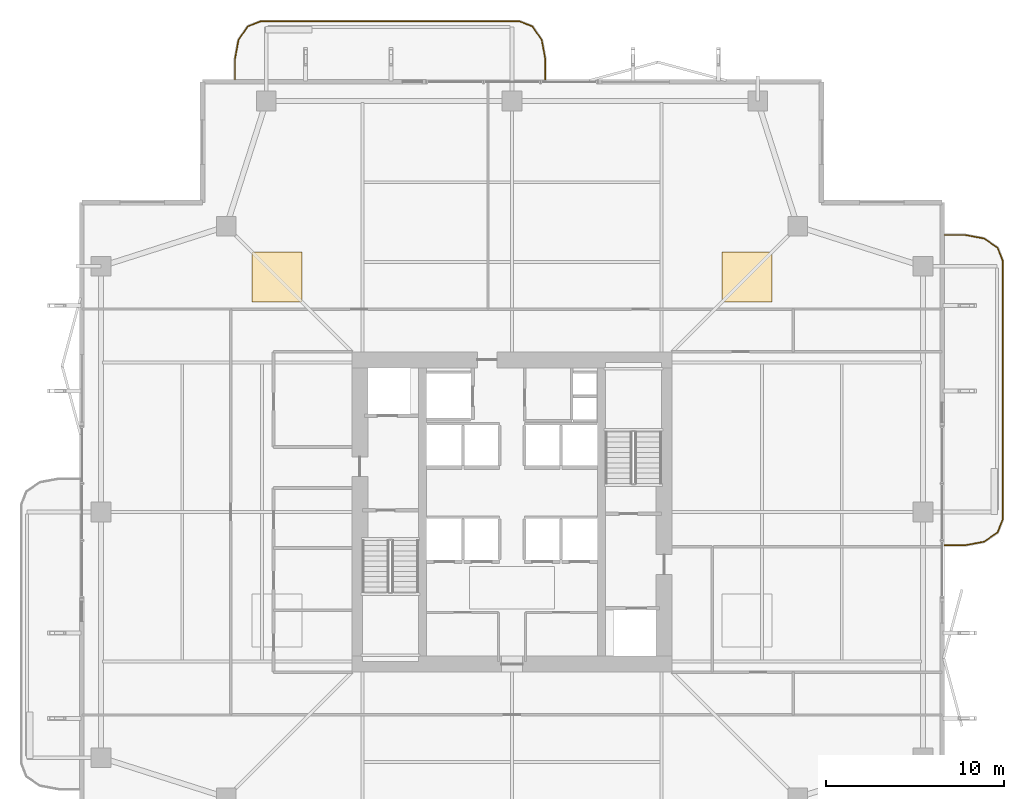
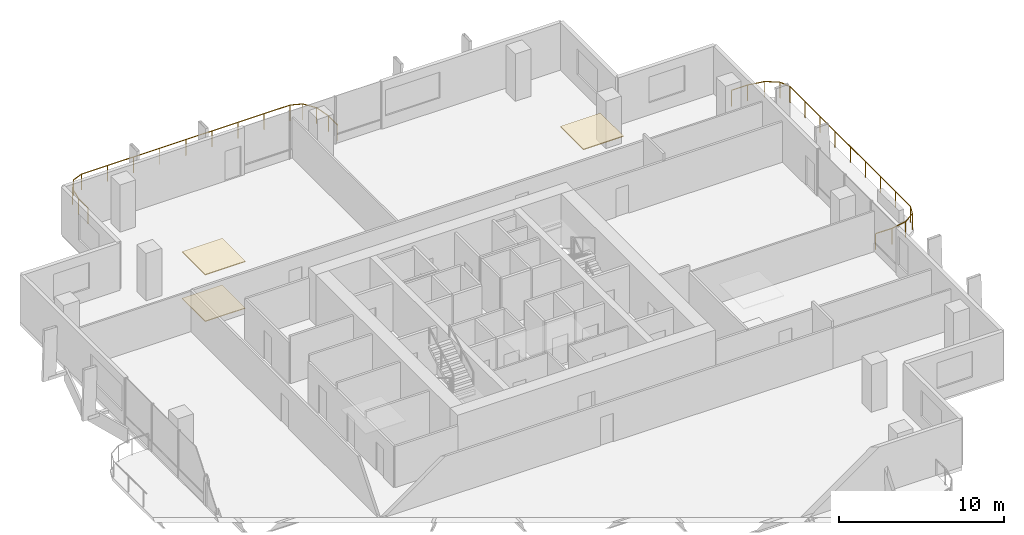
# One storey, part 23 of 23: 3 coverings, 2 railings.
"""IFC4 building model written with IfcOpenShell, lengths in metres."""

import ifcopenshell
import ifcopenshell.guid

model = None  # the IFC model being written
_history = None  # IfcOwnerHistory: only IFC2X3 demands one
_inside = {}  # id of a spatial element -> (the spatial element, [elements in it])
_under = {}  # id of a project, library or spatial element -> (it, [spatial elements below it])
_declared = {}  # id of a project -> (the project, [libraries it declares])
_typed = {}  # id of a type object -> (the type object, [elements of that type])
_made_of = {}  # id of a material, layer set ... -> (it, [elements and type objects made of it])


def new_model(schema):
    """Start an empty IFC model of exactly this schema.

    Asked for "IFC4X3", IfcOpenShell would pick the latest addendum, in which some entities
    have other attributes; the version numbers below select the first issue.
    IFC2X3 requires an IfcOwnerHistory on every rooted entity: one is made here for all.
    """
    global model, _history
    if schema == "IFC4X3":
        model = ifcopenshell.file(schema_version=(4, 3, 0, 0))
    else:
        model = ifcopenshell.file(schema=schema)
    _inside.clear()
    _under.clear()
    _declared.clear()
    _typed.clear()
    _made_of.clear()
    _history = None
    if model.schema == "IFC2X3":
        org = make("IfcOrganization", Name="unknown")
        user = make(
            "IfcPersonAndOrganization",
            ThePerson=make("IfcPerson", FamilyName="unknown"),
            TheOrganization=org,
        )
        app = make(
            "IfcApplication",
            ApplicationDeveloper=org,
            Version="unknown",
            ApplicationFullName="unknown",
            ApplicationIdentifier="unknown",
        )
        _history = make(
            "IfcOwnerHistory",
            OwningUser=user,
            OwningApplication=app,
            ChangeAction="ADDED",
            CreationDate=0,
        )
    return model


def make(cls, **values):
    """One entity of the class cls with the attributes given. An attribute that is None is left unset."""
    return model.create_entity(
        cls, **{name: value for name, value in values.items() if value is not None}
    )


def rooted(cls, **values):
    """An entity with a GlobalId (a new one), such as an element, a storey or a relation."""
    return make(cls, GlobalId=ifcopenshell.guid.new(), OwnerHistory=_history, **values)


def si_unit(unit_type, name, prefix=None):
    """IfcSIUnit, for example si_unit("LENGTHUNIT", "METRE", prefix="MILLI")."""
    return make("IfcSIUnit", UnitType=unit_type, Prefix=prefix, Name=name)


def assignment(units):
    """IfcUnitAssignment: the units of a project."""
    return None if units is None else make("IfcUnitAssignment", Units=units)


def point(xyz):
    """IfcCartesianPoint."""
    return None if xyz is None else make("IfcCartesianPoint", Coordinates=xyz)


def direction(xyz):
    """IfcDirection."""
    return None if xyz is None else make("IfcDirection", DirectionRatios=xyz)


def frame(location, z_axis=None, x_axis=None):
    """IfcAxis2Placement3D, a coordinate frame: its origin and axes. An axis left out is left unset."""
    return make(
        "IfcAxis2Placement3D",
        Location=point(location),
        Axis=direction(z_axis),
        RefDirection=direction(x_axis),
    )


def frame_2d(location, x_axis=None):
    """IfcAxis2Placement2D, a coordinate frame in the plane: its origin and x axis."""
    return make(
        "IfcAxis2Placement2D", Location=point(location), RefDirection=direction(x_axis)
    )


def origin():
    """The frame at (0, 0, 0) with its axes left unset."""
    return frame((0.0, 0.0, 0.0))


def origin_2d():
    """The frame at (0, 0) in the plane with its x axis left unset."""
    return frame_2d((0.0, 0.0))


def place(relative_to, where):
    """IfcLocalPlacement: puts the frame where relative to a parent placement (None: the world)."""
    return make(
        "IfcLocalPlacement", PlacementRelTo=relative_to, RelativePlacement=where
    )


def context(
    kind, dimensions, precision=None, world=None, true_north=None, identifier=None
):
    """IfcGeometricRepresentationContext, for example the 3D "Model" context."""
    return make(
        "IfcGeometricRepresentationContext",
        ContextIdentifier=identifier,
        ContextType=kind,
        CoordinateSpaceDimension=dimensions,
        Precision=precision,
        WorldCoordinateSystem=world,
        TrueNorth=true_north,
    )


def subcontext(parent, identifier, kind, view, scale=None):
    """IfcGeometricRepresentationSubContext, for example "Body" below "Model"."""
    return make(
        "IfcGeometricRepresentationSubContext",
        ContextIdentifier=identifier,
        ContextType=kind,
        ParentContext=parent,
        TargetScale=scale,
        TargetView=view,
    )


def project(units=None, contexts=None):
    """IfcProject with its units and contexts."""
    return rooted(
        "IfcProject",
        Name="project",
        RepresentationContexts=contexts,
        UnitsInContext=assignment(units),
    )


def spatial(cls, under=None, at=None, **own):
    """A site, building, storey or space (cls), placed at a placement, below another one or the project."""
    s = rooted(cls, ObjectPlacement=at, **own)
    if under is not None:
        _under.setdefault(under.id(), (under, []))[1].append(s)
    return s


def polyline(points):
    """IfcPolyline through the points."""
    return make("IfcPolyline", Points=[point(p) for p in points])


def profile(cls, at=None, kind="AREA", **sizes):
    """A parametric profile (cls). Its sizes go by their IFC names, for example OverallWidth=200.0."""
    return make(cls, ProfileType=kind, Position=at, **sizes)


def rectangle(**sizes):
    """IfcRectangleProfileDef."""
    return profile("IfcRectangleProfileDef", **sizes)


def outline(outer, holes=None, kind="AREA"):
    """IfcArbitraryClosedProfileDef: a profile drawn as a closed curve; with holes, ...WithVoids."""
    if holes is None:
        return make("IfcArbitraryClosedProfileDef", ProfileType=kind, OuterCurve=outer)
    return make(
        "IfcArbitraryProfileDefWithVoids",
        ProfileType=kind,
        OuterCurve=outer,
        InnerCurves=holes,
    )


def extrude(swept, where, along, depth):
    """IfcExtrudedAreaSolid: the profile swept, set in the frame where, extruded along a direction by depth."""
    return make(
        "IfcExtrudedAreaSolid",
        SweptArea=swept,
        Position=where,
        ExtrudedDirection=direction(along),
        Depth=depth,
    )


def shape(context_of_items, identifier, shape_type, items):
    """IfcShapeRepresentation: the items that make up one representation, for example the "Body"."""
    return make(
        "IfcShapeRepresentation",
        ContextOfItems=context_of_items,
        RepresentationIdentifier=identifier,
        RepresentationType=shape_type,
        Items=items,
    )


def material(Name=None, Category=None):
    """IfcMaterial."""
    return make("IfcMaterial", Name=Name, Category=Category)


def layer(
    of_material, thickness, ventilated=None, Name=None, Category=None, Priority=None
):
    """IfcMaterialLayer: one layer of a wall or slab, of a material (None: an air gap)."""
    return make(
        "IfcMaterialLayer",
        Material=of_material,
        LayerThickness=thickness,
        IsVentilated=ventilated,
        Name=Name,
        Category=Category,
        Priority=Priority,
    )


def layer_set(layers, Name=None):
    """IfcMaterialLayerSet."""
    return make("IfcMaterialLayerSet", MaterialLayers=layers, LayerSetName=Name)


def made_of(thing, what):
    """Note that an element or type object is made of a material, layer set ...; save() writes the relation."""
    if what is not None:
        _made_of.setdefault(what.id(), (what, []))[1].append(thing)
    return thing


def type_object(cls, material=None, **own):
    """A type object (cls), such as IfcWallType, which elements share."""
    return made_of(rooted(cls, **own), material)


def element(
    cls,
    number,
    at=None,
    inside=None,
    cuts=None,
    type_object=None,
    material=None,
    context=None,
    identifier="Body",
    shape_type=None,
    held_by="IfcProductDefinitionShape",
    body=None,
    shapes=None,
    **own,
):
    """One element of the class cls, such as IfcWall. Its Tag is "e" and its number.

    at: its placement. inside: the storey or other place that contains it. cuts: it is an
    opening in that element (IfcRelVoidsElement). A single representation is given by context,
    identifier, shape_type and body (its items); several are given by shapes. held_by: the class
    of the entity that holds the representations. save() writes the other relations.
    """
    e = rooted(cls, Tag="e%d" % number, ObjectPlacement=at, **own)
    if body is not None:
        shapes = [shape(context, identifier, shape_type, body)]
    if shapes is not None:
        e.Representation = make(held_by, Representations=shapes)
    if inside is not None:
        _inside.setdefault(inside.id(), (inside, []))[1].append(e)
    if cuts is not None:
        rooted(
            "IfcRelVoidsElement", RelatingBuildingElement=cuts, RelatedOpeningElement=e
        )
    if type_object is not None:
        _typed.setdefault(type_object.id(), (type_object, []))[1].append(e)
    return made_of(e, material)


def aggregate(whole, parts):
    """IfcRelAggregates: a whole, such as a stair, and the parts it consists of."""
    return rooted("IfcRelAggregates", RelatingObject=whole, RelatedObjects=parts)


def save(model, path):
    """Write the relations noted so far, then the file.

    IfcRelAggregates (storeys below a building ...), IfcRelContainedInSpatialStructure (elements
    in a storey), IfcRelDefinesByType, IfcRelAssociatesMaterial and IfcRelDeclares: one each for
    every whole, place, type object, material and project.
    """
    for whole, parts in _under.values():
        aggregate(whole, parts)
    for where, things in _inside.values():
        rooted(
            "IfcRelContainedInSpatialStructure",
            RelatedElements=things,
            RelatingStructure=where,
        )
    for kind, things in _typed.values():
        rooted("IfcRelDefinesByType", RelatedObjects=things, RelatingType=kind)
    for what, things in _made_of.values():
        rooted("IfcRelAssociatesMaterial", RelatedObjects=things, RelatingMaterial=what)
    for by, libraries in _declared.values():
        rooted("IfcRelDeclares", RelatingContext=by, RelatedDefinitions=libraries)
    model.write(path)


model = new_model("IFC4")

# Units and contexts
model_context = context("Model", 3, precision=1e-05, world=origin(), true_north=direction((0.0, 1.0)))
body_context = subcontext(model_context, "Body", "Model", "MODEL_VIEW")
ifc_project = project(units=[si_unit("LENGTHUNIT", "METRE"), si_unit("AREAUNIT", "SQUARE_METRE"), si_unit("VOLUMEUNIT", "CUBIC_METRE"), si_unit("PLANEANGLEUNIT", "RADIAN"), si_unit("MASSUNIT", "GRAM", prefix="KILO")], contexts=[model_context])

# Site, building, storey
site_placement = place(None, origin())
site = spatial("IfcSite", under=ifc_project, at=site_placement, CompositionType="ELEMENT")
building_placement = place(site_placement, origin())
building = spatial("IfcBuilding", under=site, at=building_placement, Name="Belovzor Exchange Tower", CompositionType="ELEMENT")
storey_placement = place(building_placement, frame((0.0, 0.0, 157.050048828125)))
storey = spatial("IfcBuildingStorey", under=building, at=storey_placement, Name="L38", CompositionType="ELEMENT", Elevation=157.050048828125)

# Railings
ifc_material_1 = material(Name="Stainless Steel and Laminated Safety Glass", Category="steel")
railing_type = type_object("IfcRailingType", Name="Laminated Glass & Stainless Steel Balcony Balustrade 1200", PredefinedType="BALUSTRADE", material=ifc_material_1)
railing_1_placement = place(storey_placement, frame((30.669921875, 53.110107421875, 0.0)))
element("IfcRailing", 1, at=railing_1_placement, inside=storey, type_object=railing_type, Name="GR-1 Balcony Balustrade L38 North", PredefinedType="BALUSTRADE", context=body_context, shape_type="SweptSolid", body=[
    extrude(rectangle(XDim=0.048095703125, YDim=0.048095703125, at=origin_2d()), frame((0.0, 0.0, 1.17578125), z_axis=(0.0, 1.0, 0.0), x_axis=(-1.0, 0.0, 0.0)), (0.0, 0.0, 1.0), 1.1328125),
    extrude(rectangle(XDim=0.048095703125, YDim=0.048095703125, at=origin_2d()), frame((0.0, 1.1328125, 1.17578125), z_axis=(-0.180083182347, 0.983651385113, 0.0), x_axis=(-0.983651385113, -0.180083182347, 0.0)), (0.0, 0.0, 1.0), 1.093994140625),
    extrude(rectangle(XDim=0.048095703125, YDim=0.048095703125, at=origin_2d()), frame((-0.197021484375, 2.208984375, 1.17578125), z_axis=(-0.562768145367, 0.826614792125, 0.0), x_axis=(-0.826614792125, -0.562768145367, 0.0)), (0.0, 0.0, 1.0), 0.9326171875),
    extrude(rectangle(XDim=0.048095703125, YDim=0.048095703125, at=origin_2d()), frame((-0.721923828125, 2.97998046875, 1.17578125), z_axis=(-0.930766990125, 0.365612923861, 0.0), x_axis=(-0.365612923861, -0.930766990125, 0.0)), (0.0, 0.0, 1.0), 0.765869140625),
    extrude(rectangle(XDim=0.048095703125, YDim=0.048095703125, at=origin_2d()), frame((-1.434814453125, 3.260009765625, 1.17578125), z_axis=(-1.0, 0.0, 0.0), x_axis=(0.0, -1.0, 0.0)), (0.0, 0.0, 1.0), 14.570068359375),
    extrude(rectangle(XDim=0.048095703125, YDim=0.048095703125, at=origin_2d()), frame((-16.0048828125, 3.260009765625, 1.17578125), z_axis=(-0.930809580156, -0.365504480807, 0.0), x_axis=(0.365504480807, -0.930809580156, 0.0)), (0.0, 0.0, 1.0), 0.76611328125),
    extrude(rectangle(XDim=0.048095703125, YDim=0.048095703125, at=origin_2d()), frame((-16.718017578125, 2.97998046875, 1.17578125), z_axis=(-0.562768145367, -0.826614792125, 0.0), x_axis=(0.826614792125, -0.562768145367, 0.0)), (0.0, 0.0, 1.0), 0.9326171875),
    extrude(rectangle(XDim=0.048095703125, YDim=0.048095703125, at=origin_2d()), frame((-17.242919921875, 2.208984375, 1.17578125), z_axis=(-0.180083182347, -0.983651385113, 0.0), x_axis=(0.983651385113, -0.180083182347, 0.0)), (0.0, 0.0, 1.0), 1.093994140625),
    extrude(rectangle(XDim=0.048095703125, YDim=0.048095703125, at=origin_2d()), frame((-17.43994140625, 1.1328125, 1.17578125), z_axis=(0.0, -1.0, 0.0), x_axis=(1.0, 0.0, 0.0)), (0.0, 0.0, 1.0), 1.1328125),
    extrude(rectangle(XDim=0.0419921875, YDim=0.0419921875, at=origin_2d()), origin(), (0.0, 0.0, 1.0), 1.15185546875),
    extrude(rectangle(XDim=0.0419921875, YDim=0.0419921875, at=origin_2d()), frame((0.0, 1.1328125, 0.0)), (0.0, 0.0, 1.0), 1.15185546875),
    extrude(rectangle(XDim=0.0419921875, YDim=0.0419921875, at=origin_2d()), frame((-0.197021484375, 2.208984375, 0.0)), (0.0, 0.0, 1.0), 1.15185546875),
    extrude(rectangle(XDim=0.0419921875, YDim=0.0419921875, at=origin_2d()), frame((-0.721923828125, 2.97998046875, 0.0)), (0.0, 0.0, 1.0), 1.15185546875),
    extrude(rectangle(XDim=0.0419921875, YDim=0.0419921875, at=origin_2d()), frame((-1.434814453125, 3.260009765625, 0.0)), (0.0, 0.0, 1.0), 1.15185546875),
    extrude(rectangle(XDim=0.0419921875, YDim=0.0419921875, at=origin_2d()), frame((-3.256103515625, 3.260009765625, 0.0)), (0.0, 0.0, 1.0), 1.15185546875),
    extrude(rectangle(XDim=0.0419921875, YDim=0.0419921875, at=origin_2d()), frame((-5.077392578125, 3.260009765625, 0.0)), (0.0, 0.0, 1.0), 1.15185546875),
    extrude(rectangle(XDim=0.0419921875, YDim=0.0419921875, at=origin_2d()), frame((-6.898681640625, 3.260009765625, 0.0)), (0.0, 0.0, 1.0), 1.15185546875),
    extrude(rectangle(XDim=0.0419921875, YDim=0.0419921875, at=origin_2d()), frame((-8.7197265625, 3.260009765625, 0.0)), (0.0, 0.0, 1.0), 1.15185546875),
    extrude(rectangle(XDim=0.0419921875, YDim=0.0419921875, at=origin_2d()), frame((-10.541015625, 3.260009765625, 0.0)), (0.0, 0.0, 1.0), 1.15185546875),
    extrude(rectangle(XDim=0.0419921875, YDim=0.0419921875, at=origin_2d()), frame((-12.3623046875, 3.260009765625, 0.0)), (0.0, 0.0, 1.0), 1.15185546875),
    extrude(rectangle(XDim=0.0419921875, YDim=0.0419921875, at=origin_2d()), frame((-14.18359375, 3.260009765625, 0.0)), (0.0, 0.0, 1.0), 1.15185546875),
    extrude(rectangle(XDim=0.0419921875, YDim=0.0419921875, at=origin_2d()), frame((-16.0048828125, 3.260009765625, 0.0)), (0.0, 0.0, 1.0), 1.15185546875),
    extrude(rectangle(XDim=0.0419921875, YDim=0.0419921875, at=origin_2d()), frame((-16.718017578125, 2.97998046875, 0.0)), (0.0, 0.0, 1.0), 1.15185546875),
    extrude(rectangle(XDim=0.0419921875, YDim=0.0419921875, at=origin_2d()), frame((-17.242919921875, 2.208984375, 0.0)), (0.0, 0.0, 1.0), 1.15185546875),
    extrude(rectangle(XDim=0.0419921875, YDim=0.0419921875, at=origin_2d()), frame((-17.43994140625, 1.1328125, 0.0)), (0.0, 0.0, 1.0), 1.15185546875),
    extrude(rectangle(XDim=0.0419921875, YDim=0.0419921875, at=origin_2d()), frame((-17.43994140625, 0.0, 0.0)), (0.0, 0.0, 1.0), 1.15185546875),
])
railing_2_placement = place(storey_placement, frame((53.110107421875, 26.929931640625, 0.0)))
element("IfcRailing", 2, at=railing_2_placement, inside=storey, type_object=railing_type, Name="GR-1 Balcony Balustrade L38 East", PredefinedType="BALUSTRADE", context=body_context, shape_type="SweptSolid", body=[
    extrude(rectangle(XDim=0.048095703125, YDim=0.048095703125, at=origin_2d()), frame((0.0, 0.0, 1.17578125), z_axis=(1.0, 0.0, 0.0), x_axis=(0.0, 1.0, 0.0)), (0.0, 0.0, 1.0), 1.1328125),
    extrude(rectangle(XDim=0.048095703125, YDim=0.048095703125, at=origin_2d()), frame((1.1328125, 0.0, 1.17578125), z_axis=(0.983651385113, 0.180083182347, 0.0), x_axis=(-0.180083182347, 0.983651385113, 0.0)), (0.0, 0.0, 1.0), 1.093994140625),
    extrude(rectangle(XDim=0.048095703125, YDim=0.048095703125, at=origin_2d()), frame((2.208984375, 0.197021484375, 1.17578125), z_axis=(0.826493025367, 0.56294695933, 0.0), x_axis=(-0.56294695933, 0.826493025367, 0.0)), (0.0, 0.0, 1.0), 0.932861328125),
    extrude(rectangle(XDim=0.048095703125, YDim=0.048095703125, at=origin_2d()), frame((2.97998046875, 0.72216796875, 1.17578125), z_axis=(0.365612923861, 0.930766990125, 0.0), x_axis=(-0.930766990125, 0.365612923861, 0.0)), (0.0, 0.0, 1.0), 0.765869140625),
    extrude(rectangle(XDim=0.048095703125, YDim=0.048095703125, at=origin_2d()), frame((3.260009765625, 1.43505859375, 1.17578125), z_axis=(0.0, 1.0, 0.0), x_axis=(-1.0, 0.0, 0.0)), (0.0, 0.0, 1.0), 14.570068359375),
    extrude(rectangle(XDim=0.048095703125, YDim=0.048095703125, at=origin_2d()), frame((3.260009765625, 16.005126953125, 1.17578125), z_axis=(-0.365612923861, 0.930766990125, 0.0), x_axis=(-0.930766990125, -0.365612923861, 0.0)), (0.0, 0.0, 1.0), 0.765869140625),
    extrude(rectangle(XDim=0.048095703125, YDim=0.048095703125, at=origin_2d()), frame((2.97998046875, 16.718017578125, 1.17578125), z_axis=(-0.826493025367, 0.56294695933, 0.0), x_axis=(-0.56294695933, -0.826493025367, 0.0)), (0.0, 0.0, 1.0), 0.932861328125),
    extrude(rectangle(XDim=0.048095703125, YDim=0.048095703125, at=origin_2d()), frame((2.208984375, 17.2431640625, 1.17578125), z_axis=(-0.983651385113, 0.180083182347, 0.0), x_axis=(-0.180083182347, -0.983651385113, 0.0)), (0.0, 0.0, 1.0), 1.093994140625),
    extrude(rectangle(XDim=0.048095703125, YDim=0.048095703125, at=origin_2d()), frame((1.1328125, 17.440185546875, 1.17578125), z_axis=(-1.0, 0.0, 0.0), x_axis=(0.0, -1.0, 0.0)), (0.0, 0.0, 1.0), 1.1328125),
    extrude(rectangle(XDim=0.0419921875, YDim=0.0419921875, at=origin_2d()), origin(), (0.0, 0.0, 1.0), 1.15185546875),
    extrude(rectangle(XDim=0.0419921875, YDim=0.0419921875, at=origin_2d()), frame((1.1328125, 0.0, 0.0)), (0.0, 0.0, 1.0), 1.15185546875),
    extrude(rectangle(XDim=0.0419921875, YDim=0.0419921875, at=origin_2d()), frame((2.208984375, 0.197021484375, 0.0)), (0.0, 0.0, 1.0), 1.15185546875),
    extrude(rectangle(XDim=0.0419921875, YDim=0.0419921875, at=origin_2d()), frame((2.97998046875, 0.72216796875, 0.0)), (0.0, 0.0, 1.0), 1.15185546875),
    extrude(rectangle(XDim=0.0419921875, YDim=0.0419921875, at=origin_2d()), frame((3.260009765625, 1.43505859375, 0.0)), (0.0, 0.0, 1.0), 1.15185546875),
    extrude(rectangle(XDim=0.0419921875, YDim=0.0419921875, at=origin_2d()), frame((3.260009765625, 3.25634765625, 0.0)), (0.0, 0.0, 1.0), 1.15185546875),
    extrude(rectangle(XDim=0.0419921875, YDim=0.0419921875, at=origin_2d()), frame((3.260009765625, 5.07763671875, 0.0)), (0.0, 0.0, 1.0), 1.15185546875),
    extrude(rectangle(XDim=0.0419921875, YDim=0.0419921875, at=origin_2d()), frame((3.260009765625, 6.89892578125, 0.0)), (0.0, 0.0, 1.0), 1.15185546875),
    extrude(rectangle(XDim=0.0419921875, YDim=0.0419921875, at=origin_2d()), frame((3.260009765625, 8.72021484375, 0.0)), (0.0, 0.0, 1.0), 1.15185546875),
    extrude(rectangle(XDim=0.0419921875, YDim=0.0419921875, at=origin_2d()), frame((3.260009765625, 10.541259765625, 0.0)), (0.0, 0.0, 1.0), 1.15185546875),
    extrude(rectangle(XDim=0.0419921875, YDim=0.0419921875, at=origin_2d()), frame((3.260009765625, 12.362548828125, 0.0)), (0.0, 0.0, 1.0), 1.15185546875),
    extrude(rectangle(XDim=0.0419921875, YDim=0.0419921875, at=origin_2d()), frame((3.260009765625, 14.183837890625, 0.0)), (0.0, 0.0, 1.0), 1.15185546875),
    extrude(rectangle(XDim=0.0419921875, YDim=0.0419921875, at=origin_2d()), frame((3.260009765625, 16.005126953125, 0.0)), (0.0, 0.0, 1.0), 1.15185546875),
    extrude(rectangle(XDim=0.0419921875, YDim=0.0419921875, at=origin_2d()), frame((2.97998046875, 16.718017578125, 0.0)), (0.0, 0.0, 1.0), 1.15185546875),
    extrude(rectangle(XDim=0.0419921875, YDim=0.0419921875, at=origin_2d()), frame((2.208984375, 17.2431640625, 0.0)), (0.0, 0.0, 1.0), 1.15185546875),
    extrude(rectangle(XDim=0.0419921875, YDim=0.0419921875, at=origin_2d()), frame((1.1328125, 17.440185546875, 0.0)), (0.0, 0.0, 1.0), 1.15185546875),
    extrude(rectangle(XDim=0.0419921875, YDim=0.0419921875, at=origin_2d()), frame((0.0, 17.440185546875, 0.0)), (0.0, 0.0, 1.0), 1.15185546875),
])

# Coverings
ifc_material_2 = material(Name="Perforated Powder-Coated Aluminium", Category="aluminium")
ifc_layer_1 = layer(ifc_material_2, 0.06005859375)
ifc_layer_set_1 = layer_set([ifc_layer_1], Name="Perforated Powder-Coated Aluminium")
covering_type_1 = type_object("IfcCoveringType", Name="Perforated Acoustic Metal Tile Suspended Ceiling 60", PredefinedType="CEILING", material=ifc_layer_set_1)
covering_1_placement = place(storey_placement, frame((0.0, 0.0, 3.43505859375)))
element("IfcCovering", 3, at=covering_1_placement, inside=storey, type_object=covering_type_1, Name="CLG-AC60 Suspended Ceiling CLG-L38-Z1", PredefinedType="CEILING", context=body_context, shape_type="SweptSolid", body=[
    extrude(outline(polyline([(40.60009765625, 40.60009765625), (43.39990234375, 40.60009765625), (43.39990234375, 43.39990234375), (40.60009765625, 43.39990234375), (40.60009765625, 40.60009765625)])), origin(), (0.0, 0.0, 1.0), 0.059814453125),
])
covering_2_placement = place(storey_placement, frame((0.0, 0.0, 3.43505859375)))
element("IfcCovering", 4, at=covering_2_placement, inside=storey, type_object=covering_type_1, Name="CLG-AC60 Suspended Ceiling CLG-L38-Z2", PredefinedType="CEILING", context=body_context, shape_type="SweptSolid", body=[
    extrude(outline(polyline([(14.199951171875, 40.60009765625), (17.0, 40.60009765625), (17.0, 43.39990234375), (14.199951171875, 43.39990234375), (14.199951171875, 40.60009765625)])), origin(), (0.0, 0.0, 1.0), 0.059814453125),
])
ifc_material_3 = material(Name="Polished Natural Granite Tile", Category="masonry")
ifc_layer_2 = layer(ifc_material_3, 0.050048828125)
ifc_layer_set_2 = layer_set([ifc_layer_2], Name="Polished Natural Granite Tile")
covering_type_2 = type_object("IfcCoveringType", Name="Polished Karelian Granite & Raised Access Floor Finish 50", PredefinedType="FLOORING", material=ifc_layer_set_2)
covering_3_placement = place(storey_placement, origin())
element("IfcCovering", 5, at=covering_3_placement, inside=storey, type_object=covering_type_2, Name="FLR-GR50 Floor Finish FLR-L38-Z2", PredefinedType="FLOORING", context=body_context, shape_type="SweptSolid", body=[
    extrude(outline(polyline([(14.199951171875, 40.60009765625), (17.0, 40.60009765625), (17.0, 43.39990234375), (14.199951171875, 43.39990234375), (14.199951171875, 40.60009765625)])), origin(), (0.0, 0.0, 1.0), 0.050048828125),
])

save(model, "model.ifc")
